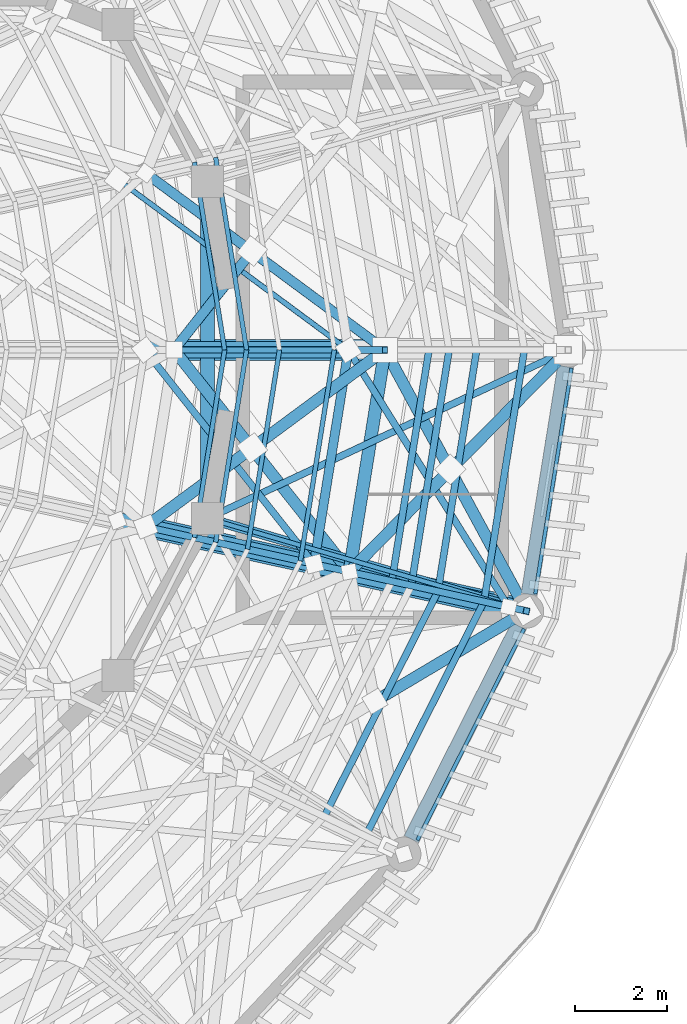
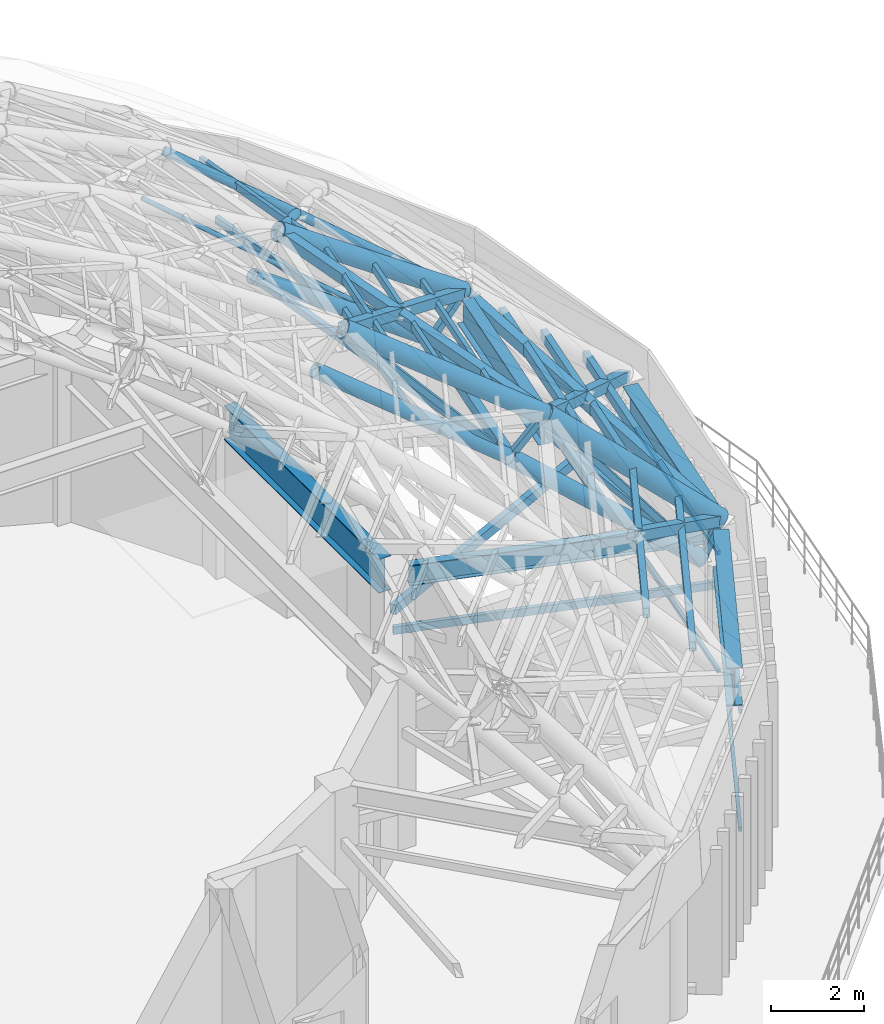
# One storey, part 24 of 50: 43 members, 5 beams.
"""IFC4 building model written with IfcOpenShell, lengths in metres."""

from ifc_helpers import new_model, si_unit, direction, frame, origin, origin_2d, place, context, subcontext, project, spatial, rectangle, hollow_rectangle, hollow_circle, i_section, extrude, material, material_profile, profile_set, type_object, element, save


model = new_model("IFC4")

# Units and contexts
model_context = context("Model", 3, precision=1e-05, world=origin(), true_north=direction((0.0, 1.0)))
body_context = subcontext(model_context, "Body", "Model", "MODEL_VIEW")
ifc_project = project(units=[si_unit("LENGTHUNIT", "METRE"), si_unit("AREAUNIT", "SQUARE_METRE"), si_unit("VOLUMEUNIT", "CUBIC_METRE"), si_unit("PLANEANGLEUNIT", "RADIAN"), si_unit("MASSUNIT", "GRAM", prefix="KILO")], contexts=[model_context])

# Site, building, storey
site_placement = place(None, origin())
site = spatial("IfcSite", under=ifc_project, at=site_placement, CompositionType="ELEMENT")
building_placement = place(site_placement, origin())
building = spatial("IfcBuilding", under=site, at=building_placement, Name="Cinderbank Siding Concert Hall", CompositionType="ELEMENT")
storey_placement = place(building_placement, frame((0.0, 0.0, 23.699951171875)))
storey = spatial("IfcBuildingStorey", under=building, at=storey_placement, Name="L06", CompositionType="ELEMENT", Elevation=23.699951171875)

# Beams
ifc_material_1 = material(Name="Structural steel AS/NZS 3679.1 Grade 350 (340 MPa)", Category="steel")
ifc_material_profile_1 = material_profile(ifc_material_1, i_section(OverallWidth=0.208984375, OverallDepth=0.532958984375, WebThickness=0.01025390625, FlangeThickness=0.015625, at=origin_2d()), Name="530UB92.4", Category="LoadBearing")
ifc_profile_set_1 = profile_set([ifc_material_profile_1], Name="Structural steel AS/NZS 3679.1 Grade 350 (340 MPa)")
beam_type_1 = type_object("IfcBeamType", Name="BM-UB530H 530UB92.4", PredefinedType="BEAM", material=ifc_profile_set_1)
beam_1_placement = place(storey_placement, frame((141.260498046875, 40.2294921875, 4.235595703125), z_axis=(0.960350422934, -0.278795740946, 0.0), x_axis=(0.278795740946, 0.960350422934, 0.0)))
element("IfcBeam", 1, at=beam_1_placement, inside=storey, type_object=beam_type_1, Name="L06 Beam BM-UB530H #853", PredefinedType="BEAM", context=body_context, shape_type="SweptSolid", body=[
    extrude(i_section(OverallWidth=0.208984375, OverallDepth=0.532958984375, WebThickness=0.01025390625, FlangeThickness=0.015625, at=origin_2d()), origin(), (0.0, 0.0, 1.0), 6.53271484375),
])
ifc_material_2 = material(Name="Structural steel welded plate section AS/NZS 3679.2 / AS/NZS 3678 Grade 350 (340 MPa)", Category="steel")
ifc_material_profile_2 = material_profile(ifc_material_2, i_section(OverallWidth=0.35009765625, OverallDepth=1.0, WebThickness=0.013916015625, FlangeThickness=0.02490234375, at=origin_2d()), Name="1000WB258", Category="LoadBearing")
ifc_profile_set_2 = profile_set([ifc_material_profile_2], Name="Structural steel welded plate section AS/NZS 3679.2 / AS/NZS 3678 Grade 350 (340 MPa)")
beam_type_2 = type_object("IfcBeamType", Name="BM-WB1000 1000WB258", PredefinedType="BEAM", material=ifc_profile_set_2)
beam_2_placement = place(storey_placement, frame((145.374755859375, 33.32763671875, 4.0), z_axis=(0.450491318702, 0.892780808359, 0.0), x_axis=(-0.892780808359, 0.450491318702, 0.0)))
element("IfcBeam", 2, at=beam_2_placement, inside=storey, type_object=beam_type_2, Name="L06 Beam BM-WB1000 #837", PredefinedType="BEAM", context=body_context, shape_type="SweptSolid", body=[
    extrude(i_section(OverallWidth=0.35009765625, OverallDepth=1.0, WebThickness=0.013916015625, FlangeThickness=0.02490234375, at=origin_2d()), origin(), (0.0, 0.0, 1.0), 5.209228515625),
])
beam_3_placement = place(storey_placement, frame((147.94482421875, 38.66845703125, 4.0), z_axis=(0.158385911166, 0.987377285106, 0.0), x_axis=(-0.987377285106, 0.158385911166, 0.0)))
element("IfcBeam", 3, at=beam_3_placement, inside=storey, type_object=beam_type_2, Name="L06 Beam BM-WB1000 #838", PredefinedType="BEAM", context=body_context, shape_type="SweptSolid", body=[
    extrude(i_section(OverallWidth=0.35009765625, OverallDepth=1.0, WebThickness=0.013916015625, FlangeThickness=0.02490234375, at=origin_2d()), origin(), (0.0, 0.0, 1.0), 5.03271484375),
])
ifc_material_profile_3 = material_profile(ifc_material_2, i_section(OverallWidth=0.27490234375, OverallDepth=0.800048828125, WebThickness=0.010009765625, FlangeThickness=0.01611328125, at=origin_2d()), Name="800WB146", Category="LoadBearing")
ifc_profile_set_3 = profile_set([ifc_material_profile_3], Name="Structural steel welded plate section AS/NZS 3679.2 / AS/NZS 3678 Grade 350 (340 MPa)")
beam_type_3 = type_object("IfcBeamType", Name="BM-WB800 800WB146", PredefinedType="BEAM", material=ifc_profile_set_3)
beam_4_placement = place(storey_placement, frame((144.023193359375, 39.16015625, 7.699951171875), z_axis=(0.158483883063, 0.987361564377, 0.0), x_axis=(-0.987361564377, 0.158483883063, 0.0)))
element("IfcBeam", 4, at=beam_4_placement, inside=storey, type_object=beam_type_3, Name="L06 Beam BM-WB800 #2056", PredefinedType="BEAM", context=body_context, shape_type="SweptSolid", body=[
    extrude(i_section(OverallWidth=0.27490234375, OverallDepth=0.800048828125, WebThickness=0.010009765625, FlangeThickness=0.01611328125, at=origin_2d()), origin(), (0.0, 0.0, 1.0), 4.90185546875),
])
ifc_material_profile_4 = material_profile(ifc_material_2, i_section(OverallWidth=0.300048828125, OverallDepth=0.89990234375, WebThickness=0.013916015625, FlangeThickness=0.02490234375, at=origin_2d()), Name="900WB218", Category="LoadBearing")
ifc_profile_set_4 = profile_set([ifc_material_profile_4], Name="Structural steel welded plate section AS/NZS 3679.2 / AS/NZS 3678 Grade 350 (340 MPa)")
beam_type_4 = type_object("IfcBeamType", Name="BM-WB900 900WB218", PredefinedType="BEAM", material=ifc_profile_set_4)
beam_5_placement = place(storey_placement, frame((140.93212890625, 47.333251953125, 4.052001953125), z_axis=(0.0, -1.0, 0.0), x_axis=(1.0, 0.0, 0.0)))
element("IfcBeam", 5, at=beam_5_placement, inside=storey, type_object=beam_type_4, Name="L06 Beam BM-WB900 #119", PredefinedType="BEAM", context=body_context, shape_type="SweptSolid", body=[
    extrude(i_section(OverallWidth=0.300048828125, OverallDepth=0.89990234375, WebThickness=0.013916015625, FlangeThickness=0.02490234375, at=origin_2d()), origin(), (0.0, 0.0, 1.0), 6.66650390625),
])

# Members
ifc_material_3 = material(Name="Structural steel hollow section AS/NZS 1163 Grade C350L0 (350 MPa)", Category="steel")
ifc_material_profile_5 = material_profile(ifc_material_3, hollow_circle(Radius=0.05712890625, WallThickness=0.006103515625, at=origin_2d()), Name="114.3x6.0CHS", Category="LoadBearing")
ifc_profile_set_5 = profile_set([ifc_material_profile_5], Name="Structural steel hollow section AS/NZS 1163 Grade C350L0 (350 MPa)")
member_type_1 = type_object("IfcMemberType", Name="BR-CHS114 114.3x6.0CHS Roof Truss", PredefinedType="BRACE", material=ifc_profile_set_5)
member_1_placement = place(storey_placement, frame((144.001953125, 44.0, 7.150146484375), z_axis=(-0.716240918455, 0.529135865846, 0.454988112159), x_axis=(-0.594202520588, -0.804315463314, 0.0)))
element("IfcMember", 6, at=member_1_placement, inside=storey, type_object=member_type_1, Name="L06 Diagonal Brace BR-CHS114 #DBRI-BR-CHS114-L06-0827", PredefinedType="BRACE", context=body_context, shape_type="SweptSolid", body=[
    extrude(hollow_circle(Radius=0.05712890625, WallThickness=0.006103515625, at=origin_2d()), origin(), (0.0, 0.0, 1.0), 7.032958984375),
])
ifc_material_profile_6 = material_profile(ifc_material_3, hollow_circle(Radius=0.06982421875, WallThickness=0.00634765625, at=origin_2d()), Name="139.7x6.4CHS", Category="LoadBearing")
ifc_profile_set_6 = profile_set([ifc_material_profile_6], Name="Structural steel hollow section AS/NZS 1163 Grade C350L0 (350 MPa)")
member_type_2 = type_object("IfcMemberType", Name="BR-CHS139 139.7x6.4CHS Roof Truss", PredefinedType="BRACE", material=ifc_profile_set_6)
member_2_placement = place(storey_placement, frame((144.001953125, 44.0, 7.150146484375), z_axis=(-0.675524246705, 0.0, 0.737337773421), x_axis=(0.0, -1.0, 0.0)))
element("IfcMember", 7, at=member_2_placement, inside=storey, type_object=member_type_2, Name="L06 Diagonal Brace BR-CHS139 #DWBD-BR-CHS139-L06-0818", PredefinedType="BRACE", context=body_context, shape_type="SweptSolid", body=[
    extrude(hollow_circle(Radius=0.06982421875, WallThickness=0.00634765625, at=origin_2d()), origin(), (0.0, 0.0, 1.0), 5.628173828125),
])
ifc_material_profile_7 = material_profile(ifc_material_3, hollow_circle(Radius=0.109619140625, WallThickness=0.00830078125, at=origin_2d()), Name="219.1x8.2CHS", Category="LoadBearing")
ifc_profile_set_7 = profile_set([ifc_material_profile_7], Name="Structural steel hollow section AS/NZS 1163 Grade C350L0 (350 MPa)")
member_type_3 = type_object("IfcMemberType", Name="BR-CHS219 219.1x8.2CHS Roof Truss", PredefinedType="BRACE", material=ifc_profile_set_7)
member_3_placement = place(storey_placement, frame((144.800048828125, 44.0, 8.10009765625), z_axis=(-0.721403402859, 0.532938366456, 0.442214685309), x_axis=(-0.59419431409, -0.804321525948, 0.0)))
element("IfcMember", 8, at=member_3_placement, inside=storey, type_object=member_type_3, Name="L06 Diagonal Brace BR-CHS219 #DBRO-BR-CHS219-L06-0825", PredefinedType="BRACE", context=body_context, shape_type="SweptSolid", body=[
    extrude(hollow_circle(Radius=0.109619140625, WallThickness=0.00830078125, at=origin_2d()), origin(), (0.0, 0.0, 1.0), 7.236083984375),
])
member_4_placement = place(storey_placement, frame((141.886962890625, 46.1357421875, 9.887939453125), z_axis=(-0.550199938834, -0.69654834514, 0.460543624633), x_axis=(0.784722008463, -0.619847859909, 0.0)))
element("IfcMember", 9, at=member_4_placement, inside=storey, type_object=member_type_3, Name="L06 Diagonal Brace BR-CHS219 #DBRO-BR-CHS219-L06-0826-S81", PredefinedType="BRACE", context=body_context, shape_type="SweptSolid", body=[
    extrude(hollow_circle(Radius=0.109619140625, WallThickness=0.00830078125, at=origin_2d()), origin(), (0.0, 0.0, 1.0), 3.066162109375),
])
ifc_material_profile_8 = material_profile(ifc_material_3, hollow_rectangle(XDim=0.14990234375, YDim=0.14990234375, WallThickness=0.008056640625, at=origin_2d()), Name="150x150x8.0SHS", Category="LoadBearing")
ifc_profile_set_8 = profile_set([ifc_material_profile_8], Name="Structural steel hollow section AS/NZS 1163 Grade C350L0 (350 MPa)")
member_type_4 = type_object("IfcMemberType", Name="BR-SHS150 150x150x8.0SHS Roof Truss", PredefinedType="BRACE", material=ifc_profile_set_8)
member_5_placement = place(storey_placement, frame((147.49853515625, 38.391357421875, 3.550048828125), z_axis=(-0.60159806167, 0.133082704334, 0.787634919237), x_axis=(-0.215993483707, -0.97639480488, 0.0)))
element("IfcMember", 10, at=member_5_placement, inside=storey, type_object=member_type_4, Name="L06 Diagonal Brace BR-SHS150 #DWBD-BR-SHS150-L06-0806", PredefinedType="BRACE", context=body_context, shape_type="SweptSolid", body=[
    extrude(hollow_rectangle(XDim=0.14990234375, YDim=0.14990234375, WallThickness=0.008056640625, at=origin_2d()), origin(), (0.0, 0.0, 1.0), 5.77685546875),
])
member_6_placement = place(storey_placement, frame((147.49853515625, 38.391357421875, 3.550048828125), z_axis=(0.37696695298, -0.082980146882, 0.922502147198), x_axis=(0.214978955029, 0.976618681418, 0.0)))
element("IfcMember", 11, at=member_6_placement, inside=storey, type_object=member_type_4, Name="L06 Diagonal Brace BR-SHS150 #DWBV-BR-SHS150-L06-0809", PredefinedType="BRACE", context=body_context, shape_type="SweptSolid", body=[
    extrude(hollow_rectangle(XDim=0.14990234375, YDim=0.14990234375, WallThickness=0.008056640625, at=origin_2d()), origin(), (0.0, 0.0, 1.0), 1.02978515625),
])
member_7_placement = place(storey_placement, frame((147.49853515625, 38.391357421875, 3.550048828125), z_axis=(-0.464588082783, 0.745215893435, 0.478342121821), x_axis=(-0.848597499507, -0.529039019194, 0.0)))
element("IfcMember", 12, at=member_7_placement, inside=storey, type_object=member_type_4, Name="L06 Diagonal Brace BR-SHS150 #DBRI-BR-SHS150-L06-0815", PredefinedType="BRACE", context=body_context, shape_type="SweptSolid", body=[
    extrude(hollow_rectangle(XDim=0.14990234375, YDim=0.14990234375, WallThickness=0.008056640625, at=origin_2d()), origin(), (0.0, 0.0, 1.0), 7.526123046875),
])
member_8_placement = place(storey_placement, frame((144.001953125, 44.0, 7.150146484375), z_axis=(0.643256691231, 0.0, 0.765650592102), x_axis=(0.0, 1.0, 0.0)))
element("IfcMember", 13, at=member_8_placement, inside=storey, type_object=member_type_4, Name="L06 Diagonal Brace BR-SHS150 #DWBV-BR-SHS150-L06-0821", PredefinedType="BRACE", context=body_context, shape_type="SweptSolid", body=[
    extrude(hollow_rectangle(XDim=0.14990234375, YDim=0.14990234375, WallThickness=0.008056640625, at=origin_2d()), origin(), (0.0, 0.0, 1.0), 1.24072265625),
])
member_9_placement = place(storey_placement, frame((143.252197265625, 39.32958984375, 7.150146484375), z_axis=(-0.655669606354, 0.145326583405, 0.740930193378), x_axis=(-0.216394383414, -0.976306033387, 0.0)))
element("IfcMember", 14, at=member_9_placement, inside=storey, type_object=member_type_4, Name="L06 Diagonal Brace BR-SHS150 #DWBD-BR-SHS150-L06-1094", PredefinedType="BRACE", context=body_context, shape_type="SweptSolid", body=[
    extrude(hollow_rectangle(XDim=0.14990234375, YDim=0.14990234375, WallThickness=0.008056640625, at=origin_2d()), origin(), (0.0, 0.0, 1.0), 5.600830078125),
])
member_10_placement = place(storey_placement, frame((143.252197265625, 39.32958984375, 7.150146484375), z_axis=(0.624221843528, -0.137178581193, 0.769109307526), x_axis=(0.214637578428, 0.976693764661, 0.0)))
element("IfcMember", 15, at=member_10_placement, inside=storey, type_object=member_type_4, Name="L06 Diagonal Brace BR-SHS150 #DWBV-BR-SHS150-L06-1097", PredefinedType="BRACE", context=body_context, shape_type="SweptSolid", body=[
    extrude(hollow_rectangle(XDim=0.14990234375, YDim=0.14990234375, WallThickness=0.008056640625, at=origin_2d()), origin(), (0.0, 0.0, 1.0), 1.235107421875),
])
member_11_placement = place(storey_placement, frame((143.252197265625, 39.32958984375, 7.150146484375), z_axis=(-0.54594959992, 0.691153189496, 0.473546516191), x_axis=(-0.784715786367, -0.619855736947, 0.0)))
element("IfcMember", 16, at=member_11_placement, inside=storey, type_object=member_type_4, Name="L06 Diagonal Brace BR-SHS150 #DBRI-BR-SHS150-L06-1103", PredefinedType="BRACE", context=body_context, shape_type="SweptSolid", body=[
    extrude(hollow_rectangle(XDim=0.14990234375, YDim=0.14990234375, WallThickness=0.008056640625, at=origin_2d()), origin(), (0.0, 0.0, 1.0), 6.75732421875),
])
ifc_material_profile_9 = material_profile(ifc_material_3, hollow_rectangle(XDim=0.25, YDim=0.25, WallThickness=0.010009765625, at=origin_2d()), Name="250x250x10.0SHS", Category="LoadBearing")
ifc_profile_set_9 = profile_set([ifc_material_profile_9], Name="Structural steel hollow section AS/NZS 1163 Grade C350L0 (350 MPa)")
member_type_5 = type_object("IfcMemberType", Name="BR-SHS250 250x250x10.0SHS Roof Truss", PredefinedType="BRACE", material=ifc_profile_set_9)
member_12_placement = place(storey_placement, frame((147.88671875, 38.305908203125, 4.5), z_axis=(-0.76738971976, -0.456853774995, 0.44988625927), x_axis=(0.511545188818, -0.859256376059, 0.0)))
element("IfcMember", 17, at=member_12_placement, inside=storey, type_object=member_type_5, Name="L06 Diagonal Brace BR-SHS250 #DBRO-BR-SHS250-L06-0802", PredefinedType="BRACE", context=body_context, shape_type="SweptSolid", body=[
    extrude(hollow_rectangle(XDim=0.25, YDim=0.25, WallThickness=0.010009765625, at=origin_2d()), origin(), (0.0, 0.0, 1.0), 4.309814453125),
])
member_13_placement = place(storey_placement, frame((147.88671875, 38.305908203125, 4.5), z_axis=(-0.416543965106, 0.768413738683, 0.485830681757), x_axis=(-0.879138665552, -0.47656605705, 0.0)))
element("IfcMember", 18, at=member_13_placement, inside=storey, type_object=member_type_5, Name="L06 Diagonal Brace BR-SHS250 #DBRO-BR-SHS250-L06-0813", PredefinedType="BRACE", context=body_context, shape_type="SweptSolid", body=[
    extrude(hollow_rectangle(XDim=0.25, YDim=0.25, WallThickness=0.010009765625, at=origin_2d()), origin(), (0.0, 0.0, 1.0), 7.41015625),
])
member_14_placement = place(storey_placement, frame((148.800048828125, 44.0, 4.5), z_axis=(-0.62082489955, -0.629013802666, 0.467886824087), x_axis=(0.711724445762, -0.702458762708, 0.0)))
element("IfcMember", 19, at=member_14_placement, inside=storey, type_object=member_type_5, Name="L06 Diagonal Brace BR-SHS250 #DBRO-BR-SHS250-L06-0814", PredefinedType="BRACE", context=body_context, shape_type="SweptSolid", body=[
    extrude(hollow_rectangle(XDim=0.25, YDim=0.25, WallThickness=0.010009765625, at=origin_2d()), origin(), (0.0, 0.0, 1.0), 4.14404296875),
])
member_15_placement = place(storey_placement, frame((146.208740234375, 41.37451171875, 6.452880859375), z_axis=(-0.620821138626, -0.629004437817, 0.467904403743), x_axis=(0.711721344563, -0.702461904799, 0.0)))
element("IfcMember", 20, at=member_15_placement, inside=storey, type_object=member_type_5, Name="L06 Diagonal Brace BR-SHS250 #DBRO-BR-SHS250-L06-0814-S80", PredefinedType="BRACE", context=body_context, shape_type="SweptSolid", body=[
    extrude(hollow_rectangle(XDim=0.25, YDim=0.25, WallThickness=0.010009765625, at=origin_2d()), origin(), (0.0, 0.0, 1.0), 3.5205078125),
])
member_16_placement = place(storey_placement, frame((144.023193359375, 39.16015625, 8.10009765625), z_axis=(-0.550229511463, 0.696535749377, 0.460527343981), x_axis=(-0.784700350908, -0.619875277201, 0.0)))
element("IfcMember", 21, at=member_16_placement, inside=storey, type_object=member_type_5, Name="L06 Diagonal Brace BR-SHS250 #DBRO-BR-SHS250-L06-1101", PredefinedType="BRACE", context=body_context, shape_type="SweptSolid", body=[
    extrude(hollow_rectangle(XDim=0.25, YDim=0.25, WallThickness=0.010009765625, at=origin_2d()), origin(), (0.0, 0.0, 1.0), 6.948486328125),
])
member_17_placement = place(storey_placement, frame((144.800048828125, 44.0, 8.10009765625), z_axis=(-0.721372501211, -0.532966118239, 0.44223164892), x_axis=(0.59423079707, -0.804294572787, 0.0)))
element("IfcMember", 22, at=member_17_placement, inside=storey, type_object=member_type_5, Name="L06 Diagonal Brace BR-SHS250 #DBRO-BR-SHS250-L06-1102", PredefinedType="BRACE", context=body_context, shape_type="SweptSolid", body=[
    extrude(hollow_rectangle(XDim=0.25, YDim=0.25, WallThickness=0.010009765625, at=origin_2d()), origin(), (0.0, 0.0, 1.0), 4.011962890625),
])
member_18_placement = place(storey_placement, frame((141.88427734375, 41.845947265625, 9.887451171875), z_axis=(-0.721406640907, -0.532934474737, 0.442214093049), x_axis=(0.594189781605, -0.804324874311, 0.0)))
element("IfcMember", 23, at=member_18_placement, inside=storey, type_object=member_type_5, Name="L06 Diagonal Brace BR-SHS250 #DBRO-BR-SHS250-L06-1102-S104", PredefinedType="BRACE", context=body_context, shape_type="SweptSolid", body=[
    extrude(hollow_rectangle(XDim=0.25, YDim=0.25, WallThickness=0.010009765625, at=origin_2d()), origin(), (0.0, 0.0, 1.0), 3.1943359375),
])
ifc_material_profile_10 = material_profile(ifc_material_3, hollow_circle(Radius=0.177734375, WallThickness=0.0126953125, at=origin_2d()), Name="355.6x12.7CHS", Category="LoadBearing")
ifc_profile_set_10 = profile_set([ifc_material_profile_10], Name="Structural steel hollow section AS/NZS 1163 Grade C350L0 (350 MPa)")
member_type_6 = type_object("IfcMemberType", Name="DR-CHS355 355.6x12.7CHS Roof Truss", PredefinedType="RAFTER", material=ifc_profile_set_10)
member_19_placement = place(storey_placement, frame((144.001953125, 44.0, 7.150146484375), z_axis=(-0.811196558381, 0.0, 0.584773583253), x_axis=(0.0, -1.0, 0.0)))
element("IfcMember", 24, at=member_19_placement, inside=storey, type_object=member_type_6, Name="L06 Roof Truss Member DR-CHS355 #817", PredefinedType="RAFTER", context=body_context, shape_type="SweptSolid", body=[
    extrude(hollow_circle(Radius=0.177734375, WallThickness=0.0126953125, at=origin_2d()), origin(), (0.0, 0.0, 1.0), 5.47216796875),
])
member_20_placement = place(storey_placement, frame((143.252197265625, 39.32958984375, 7.150146484375), z_axis=(-0.789093349478, 0.174650145167, 0.58892190705), x_axis=(-0.216100368757, -0.976371154133, 0.0)))
element("IfcMember", 25, at=member_20_placement, inside=storey, type_object=member_type_6, Name="L06 Roof Truss Member DR-CHS355 #1093", PredefinedType="RAFTER", context=body_context, shape_type="SweptSolid", body=[
    extrude(hollow_circle(Radius=0.177734375, WallThickness=0.0126953125, at=origin_2d()), origin(), (0.0, 0.0, 1.0), 5.43359375),
])
ifc_material_profile_11 = material_profile(ifc_material_3, hollow_circle(Radius=0.203125, WallThickness=0.01611328125, at=origin_2d()), Name="406.4x16.0CHS", Category="LoadBearing")
ifc_profile_set_11 = profile_set([ifc_material_profile_11], Name="Structural steel hollow section AS/NZS 1163 Grade C350L0 (350 MPa)")
member_type_7 = type_object("IfcMemberType", Name="DR-CHS406 406.4x16.0CHS Roof Truss", PredefinedType="RAFTER", material=ifc_profile_set_11)
member_21_placement = place(storey_placement, frame((147.49853515625, 38.391357421875, 3.550048828125), z_axis=(-0.752155055134, 0.166189379456, 0.637686336055), x_axis=(-0.215747388225, -0.97644921244, 0.0)))
element("IfcMember", 26, at=member_21_placement, inside=storey, type_object=member_type_7, Name="L06 Roof Truss Member DR-CHS406 #805", PredefinedType="RAFTER", context=body_context, shape_type="SweptSolid", body=[
    extrude(hollow_circle(Radius=0.203125, WallThickness=0.01611328125, at=origin_2d()), origin(), (0.0, 0.0, 1.0), 5.6455078125),
])
ifc_material_profile_12 = material_profile(ifc_material_3, hollow_circle(Radius=0.228515625, WallThickness=0.01611328125, at=origin_2d()), Name="457.0x16.0CHS", Category="LoadBearing")
ifc_profile_set_12 = profile_set([ifc_material_profile_12], Name="Structural steel hollow section AS/NZS 1163 Grade C350L0 (350 MPa)")
member_type_8 = type_object("IfcMemberType", Name="DR-CHS457 457.0x16.0CHS Roof Truss", PredefinedType="RAFTER", material=ifc_profile_set_12)
member_22_placement = place(storey_placement, frame((144.800048828125, 44.0, 8.10009765625), z_axis=(-0.820914969857, 0.0, 0.571050446339), x_axis=(0.0, -1.0, 0.0)))
element("IfcMember", 27, at=member_22_placement, inside=storey, type_object=member_type_8, Name="L06 Roof Truss Member DR-CHS457 #816", PredefinedType="RAFTER", context=body_context, shape_type="SweptSolid", body=[
    extrude(hollow_circle(Radius=0.228515625, WallThickness=0.01611328125, at=origin_2d()), origin(), (0.0, 0.0, 1.0), 5.603515625),
])
member_23_placement = place(storey_placement, frame((144.023193359375, 39.16015625, 8.10009765625), z_axis=(-0.79869265842, 0.17676560594, 0.575190366698), x_axis=(-0.216089698952, -0.976373515621, 0.0)))
element("IfcMember", 28, at=member_23_placement, inside=storey, type_object=member_type_8, Name="L06 Roof Truss Member DR-CHS457 #1092", PredefinedType="RAFTER", context=body_context, shape_type="SweptSolid", body=[
    extrude(hollow_circle(Radius=0.228515625, WallThickness=0.01611328125, at=origin_2d()), origin(), (0.0, 0.0, 1.0), 5.563232421875),
])
ifc_material_profile_13 = material_profile(ifc_material_3, hollow_circle(Radius=0.25390625, WallThickness=0.01611328125, at=origin_2d()), Name="508.0x16.0CHS", Category="LoadBearing")
ifc_profile_set_13 = profile_set([ifc_material_profile_13], Name="Structural steel hollow section AS/NZS 1163 Grade C350L0 (350 MPa)")
member_type_9 = type_object("IfcMemberType", Name="DR-CHS508 508.0x16.0CHS Roof Truss", PredefinedType="RAFTER", material=ifc_profile_set_13)
member_24_placement = place(storey_placement, frame((147.88671875, 38.305908203125, 4.5), z_axis=(-0.722220248444, 0.15968711844, 0.672976921552), x_axis=(-0.215891581568, -0.976417341616, 0.0)))
element("IfcMember", 29, at=member_24_placement, inside=storey, type_object=member_type_9, Name="L06 Roof Truss Member DR-CHS508 #804", PredefinedType="RAFTER", context=body_context, shape_type="SweptSolid", body=[
    extrude(hollow_circle(Radius=0.25390625, WallThickness=0.01611328125, at=origin_2d()), origin(), (0.0, 0.0, 1.0), 5.349609375),
])
ifc_material_4 = material(Name="Anodised aluminium alloy 6063-T6", Category="aluminium")
ifc_material_profile_14 = material_profile(ifc_material_4, rectangle(XDim=0.080078125, YDim=0.10009765625, at=origin_2d()), Name="ALU-RAIL-80x100", Category="LoadBearing")
ifc_profile_set_14 = profile_set([ifc_material_profile_14], Name="Anodised aluminium alloy 6063-T6")
member_type_10 = type_object("IfcMemberType", Name="LV-RL1 Carrier Rail 80x100", PredefinedType="STUD", material=ifc_profile_set_14)
for number, where, z_axis, x_axis, name in (
    (30, (145.50830078125, 33.306396484375, 0.219970703125), (0.450482714116, 0.892785150124, 0.0), (-0.892785150124, 0.450482714116, 0.0), "L06 Louvre Carrier Rail 23 BOT"),
    (31, (145.50830078125, 33.306396484375, 3.320068359375), (0.450482714116, 0.892785150124, 0.0), (-0.892785150124, 0.450482714116, 0.0), "L06 Louvre Carrier Rail 23 TOP"),
):
    element("IfcMember", number, at=place(storey_placement, frame(where, z_axis=z_axis, x_axis=x_axis)), inside=storey, type_object=member_type_10, Name=name, PredefinedType="STUD", context=body_context, shape_type="SweptSolid", body=[
        extrude(rectangle(XDim=0.080078125, YDim=0.10009765625, at=origin_2d()), origin(), (0.0, 0.0, 1.0), 5.1630859375),
    ])
for number, where, z_axis, x_axis, name in (
    (32, (148.077880859375, 38.677001953125, 0.219970703125), (0.158322718802, 0.987387419765, 0.0), (-0.987387419765, 0.158322718802, 0.0), "L06 Louvre Carrier Rail 24 BOT"),
    (33, (148.077880859375, 38.677001953125, 3.320068359375), (0.158322718802, 0.987387419765, 0.0), (-0.987387419765, 0.158322718802, 0.0), "L06 Louvre Carrier Rail 24 TOP"),
):
    element("IfcMember", number, at=place(storey_placement, frame(where, z_axis=z_axis, x_axis=x_axis)), inside=storey, type_object=member_type_10, Name=name, PredefinedType="STUD", context=body_context, shape_type="SweptSolid", body=[
        extrude(rectangle(XDim=0.080078125, YDim=0.10009765625, at=origin_2d()), origin(), (0.0, 0.0, 1.0), 4.987060546875),
    ])
ifc_material_profile_15 = material_profile(ifc_material_3, hollow_rectangle(XDim=0.10009765625, YDim=0.199951171875, WallThickness=0.008056640625, at=origin_2d()), Name="200x100x8.0RHS", Category="LoadBearing")
ifc_profile_set_15 = profile_set([ifc_material_profile_15], Name="Structural steel hollow section AS/NZS 1163 Grade C350L0 (350 MPa)")
member_type_11 = type_object("IfcMemberType", Name="PR-RHS200 200x100x8.0RHS Roof Truss", PredefinedType="PURLIN", material=ifc_profile_set_15)
member_25_placement = place(storey_placement, frame((141.782470703125, 44.0, 8.75), z_axis=(-0.15862009127, 0.987339691619, 0.0), x_axis=(-0.987339691619, -0.15862009127, 0.0)))
element("IfcMember", 34, at=member_25_placement, inside=storey, type_object=member_type_11, Name="L06 Roof Truss Member PR-RHS200 #820", PredefinedType="PURLIN", context=body_context, shape_type="SweptSolid", body=[
    extrude(hollow_rectangle(XDim=0.10009765625, YDim=0.199951171875, WallThickness=0.008056640625, at=origin_2d()), origin(), (0.0, 0.0, 1.0), 4.24951171875),
])
member_26_placement = place(storey_placement, frame((141.303955078125, 44.0, 10.531982421875), z_axis=(-0.158684247496, 0.987329382525, 0.0), x_axis=(-0.987329382525, -0.158684247496, 0.0)))
element("IfcMember", 35, at=member_26_placement, inside=storey, type_object=member_type_11, Name="L06 Roof Truss Member PR-RHS200 #824", PredefinedType="PURLIN", context=body_context, shape_type="SweptSolid", body=[
    extrude(hollow_rectangle(XDim=0.10009765625, YDim=0.199951171875, WallThickness=0.008056640625, at=origin_2d()), origin(), (0.0, 0.0, 1.0), 4.144775390625),
])
member_27_placement = place(storey_placement, frame((141.1083984375, 39.80419921875, 8.75), z_axis=(0.15862009127, 0.987339691619, 0.0), x_axis=(-0.987339691619, 0.15862009127, 0.0)))
element("IfcMember", 36, at=member_27_placement, inside=storey, type_object=member_type_11, Name="L06 Roof Truss Member PR-RHS200 #1096", PredefinedType="PURLIN", context=body_context, shape_type="SweptSolid", body=[
    extrude(hollow_rectangle(XDim=0.10009765625, YDim=0.199951171875, WallThickness=0.008056640625, at=origin_2d()), origin(), (0.0, 0.0, 1.0), 4.24951171875),
])
member_28_placement = place(storey_placement, frame((142.956787109375, 39.39599609375, 8.8681640625), z_axis=(0.158537736653, 0.987352918696, 0.0), x_axis=(-0.987352918696, 0.158537736653, 0.0)))
element("IfcMember", 37, at=member_28_placement, inside=storey, type_object=member_type_11, Name="L06 Roof Truss Member PR-RHS200 #1098", PredefinedType="PURLIN", context=body_context, shape_type="SweptSolid", body=[
    extrude(hollow_rectangle(XDim=0.10009765625, YDim=0.199951171875, WallThickness=0.008056640625, at=origin_2d()), origin(), (0.0, 0.0, 1.0), 4.6630859375),
])
member_29_placement = place(storey_placement, frame((141.801513671875, 39.65185546875, 9.699951171875), z_axis=(0.158606682786, 0.987341845652, 0.0), x_axis=(-0.987341845652, 0.158606682786, 0.0)))
element("IfcMember", 38, at=member_29_placement, inside=storey, type_object=member_type_11, Name="L06 Roof Truss Member PR-RHS200 #1099", PredefinedType="PURLIN", context=body_context, shape_type="SweptSolid", body=[
    extrude(hollow_rectangle(XDim=0.10009765625, YDim=0.199951171875, WallThickness=0.008056640625, at=origin_2d()), origin(), (0.0, 0.0, 1.0), 4.40380859375),
])
member_30_placement = place(storey_placement, frame((140.646240234375, 39.90771484375, 10.531982421875), z_axis=(0.158684247496, 0.987329382525, 0.0), x_axis=(-0.987329382525, 0.158684247496, 0.0)))
element("IfcMember", 39, at=member_30_placement, inside=storey, type_object=member_type_11, Name="L06 Roof Truss Member PR-RHS200 #1100", PredefinedType="PURLIN", context=body_context, shape_type="SweptSolid", body=[
    extrude(hollow_rectangle(XDim=0.10009765625, YDim=0.199951171875, WallThickness=0.008056640625, at=origin_2d()), origin(), (0.0, 0.0, 1.0), 4.144775390625),
])
member_31_placement = place(storey_placement, frame((140.93212890625, 40.32470703125, 2.81005859375), z_axis=(0.960356417746, -0.278775090161, 0.0), x_axis=(0.278775090161, 0.960356417746, 0.0)))
element("IfcMember", 40, at=member_31_placement, inside=storey, type_object=member_type_11, Name="L06 Roof Truss Member PR-RHS200 #2374", PredefinedType="PURLIN", context=body_context, shape_type="SweptSolid", body=[
    extrude(hollow_rectangle(XDim=0.10009765625, YDim=0.199951171875, WallThickness=0.008056640625, at=origin_2d()), origin(), (0.0, 0.0, 1.0), 7.24169921875),
])
ifc_material_profile_16 = material_profile(ifc_material_3, hollow_rectangle(XDim=0.14990234375, YDim=0.25, WallThickness=0.009033203125, at=origin_2d()), Name="250x150x9.0RHS", Category="LoadBearing")
ifc_profile_set_16 = profile_set([ifc_material_profile_16], Name="Structural steel hollow section AS/NZS 1163 Grade C350L0 (350 MPa)")
member_type_12 = type_object("IfcMemberType", Name="PR-RHS250 250x150x9.0RHS Roof Truss", PredefinedType="PURLIN", material=ifc_profile_set_16)
member_32_placement = place(storey_placement, frame((144.378173828125, 33.39599609375, 5.364013671875), z_axis=(0.450534225654, 0.8927591565, 0.0), x_axis=(-0.8927591565, 0.450534225654, 0.0)))
element("IfcMember", 41, at=member_32_placement, inside=storey, type_object=member_type_12, Name="L06 Roof Truss Member PR-RHS250 #798", PredefinedType="PURLIN", context=body_context, shape_type="SweptSolid", body=[
    extrude(hollow_rectangle(XDim=0.14990234375, YDim=0.25, WallThickness=0.009033203125, at=origin_2d()), origin(), (0.0, 0.0, 1.0), 5.7294921875),
])
member_33_placement = place(storey_placement, frame((143.477294921875, 33.824951171875, 6.300048828125), z_axis=(0.450638502562, 0.892706525129, 0.0), x_axis=(-0.892706525129, 0.450638502562, 0.0)))
element("IfcMember", 42, at=member_33_placement, inside=storey, type_object=member_type_12, Name="L06 Roof Truss Member PR-RHS250 #799", PredefinedType="PURLIN", context=body_context, shape_type="SweptSolid", body=[
    extrude(hollow_rectangle(XDim=0.14990234375, YDim=0.25, WallThickness=0.009033203125, at=origin_2d()), origin(), (0.0, 0.0, 1.0), 5.497802734375),
])
member_34_placement = place(storey_placement, frame((145.37548828125, 38.860595703125, 5.35009765625), z_axis=(0.158394769514, 0.987375864092, 0.0), x_axis=(-0.987375864092, 0.158394769514, 0.0)))
element("IfcMember", 43, at=member_34_placement, inside=storey, type_object=member_type_12, Name="L06 Roof Truss Member PR-RHS250 #808", PredefinedType="PURLIN", context=body_context, shape_type="SweptSolid", body=[
    extrude(hollow_rectangle(XDim=0.14990234375, YDim=0.25, WallThickness=0.009033203125, at=origin_2d()), origin(), (0.0, 0.0, 1.0), 5.205078125),
])
member_35_placement = place(storey_placement, frame((146.95947265625, 38.510986328125, 5.364013671875), z_axis=(0.158406700088, 0.987373950116, 0.0), x_axis=(-0.987373950116, 0.158406700088, 0.0)))
element("IfcMember", 44, at=member_35_placement, inside=storey, type_object=member_type_12, Name="L06 Roof Truss Member PR-RHS250 #810", PredefinedType="PURLIN", context=body_context, shape_type="SweptSolid", body=[
    extrude(hollow_rectangle(XDim=0.14990234375, YDim=0.25, WallThickness=0.009033203125, at=origin_2d()), origin(), (0.0, 0.0, 1.0), 5.559326171875),
])
member_36_placement = place(storey_placement, frame((145.954833984375, 38.73291015625, 6.300048828125), z_axis=(0.158443866233, 0.987367986747, 0.0), x_axis=(-0.987367986747, 0.158443866233, 0.0)))
element("IfcMember", 45, at=member_36_placement, inside=storey, type_object=member_type_12, Name="L06 Roof Truss Member PR-RHS250 #811", PredefinedType="PURLIN", context=body_context, shape_type="SweptSolid", body=[
    extrude(hollow_rectangle(XDim=0.14990234375, YDim=0.25, WallThickness=0.009033203125, at=origin_2d()), origin(), (0.0, 0.0, 1.0), 5.33447265625),
])
member_37_placement = place(storey_placement, frame((144.950439453125, 38.955078125, 7.236083984375), z_axis=(0.158445196298, 0.98736777331, 0.0), x_axis=(-0.98736777331, 0.158445196298, 0.0)))
element("IfcMember", 46, at=member_37_placement, inside=storey, type_object=member_type_12, Name="L06 Roof Truss Member PR-RHS250 #812", PredefinedType="PURLIN", context=body_context, shape_type="SweptSolid", body=[
    extrude(hollow_rectangle(XDim=0.14990234375, YDim=0.25, WallThickness=0.009033203125, at=origin_2d()), origin(), (0.0, 0.0, 1.0), 5.109375),
])
ifc_material_profile_17 = material_profile(ifc_material_3, hollow_rectangle(XDim=0.199951171875, YDim=0.300048828125, WallThickness=0.010009765625, at=origin_2d()), Name="300x200x10.0RHS", Category="LoadBearing")
ifc_profile_set_17 = profile_set([ifc_material_profile_17], Name="Structural steel hollow section AS/NZS 1163 Grade C350L0 (350 MPa)")
member_type_13 = type_object("IfcMemberType", Name="PR-RHS300 300x200x10.0RHS Roof Truss", PredefinedType="PURLIN", material=ifc_profile_set_17)
member_38_placement = place(storey_placement, frame((143.252197265625, 39.32958984375, 7.150146484375), z_axis=(0.158503792449, 0.987358368466, 0.0), x_axis=(-0.987358368466, 0.158503792449, 0.0)))
element("IfcMember", 47, at=member_38_placement, inside=storey, type_object=member_type_13, Name="L06 Roof Truss Member PR-RHS300 #807", PredefinedType="PURLIN", context=body_context, shape_type="SweptSolid", body=[
    extrude(hollow_rectangle(XDim=0.199951171875, YDim=0.300048828125, WallThickness=0.010009765625, at=origin_2d()), origin(), (0.0, 0.0, 1.0), 4.730224609375),
])
ifc_material_profile_18 = material_profile(ifc_material_3, hollow_rectangle(XDim=0.14990234375, YDim=0.25, WallThickness=0.009033203125, at=origin_2d()), Name="250x150x9.0RHS", Category="LoadBearing")
ifc_profile_set_18 = profile_set([ifc_material_profile_18], Name="Structural steel hollow section AS/NZS 1163 Grade C350L0 (350 MPa)")
member_type_14 = type_object("IfcMemberType", Name="TR-RHS250 250x150x9.0RHS Roof Truss", PredefinedType="RAFTER", material=ifc_profile_set_18)
member_39_placement = place(storey_placement, frame((140.93212890625, 40.32470703125, 3.35009765625), z_axis=(0.906024345896, 0.423225571822, 0.0), x_axis=(-0.423225571822, 0.906024345896, 0.0)))
element("IfcMember", 48, at=member_39_placement, inside=storey, type_object=member_type_14, Name="L06 Roof Truss Member TR-RHS250 #2373", PredefinedType="RAFTER", context=body_context, shape_type="SweptSolid", body=[
    extrude(hollow_rectangle(XDim=0.14990234375, YDim=0.25, WallThickness=0.009033203125, at=origin_2d()), origin(), (0.0, 0.0, 1.0), 8.68408203125),
])

save(model, "model.ifc")
